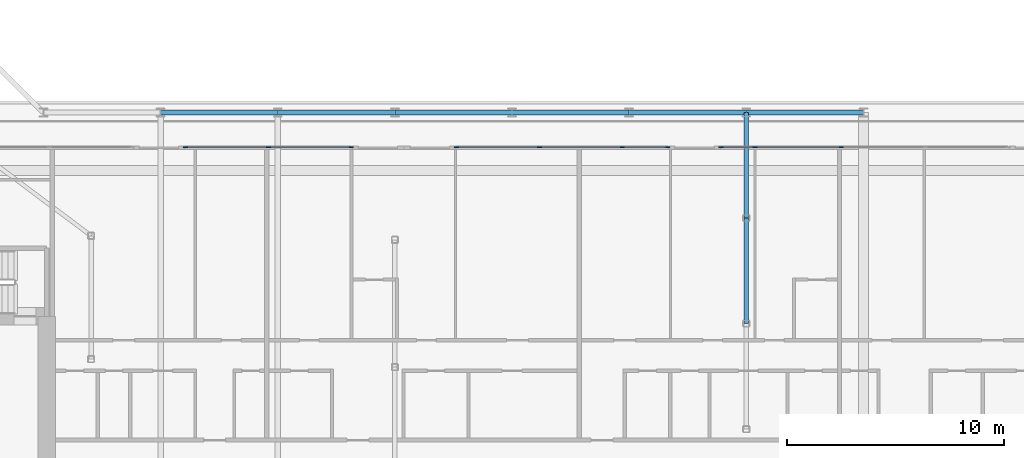
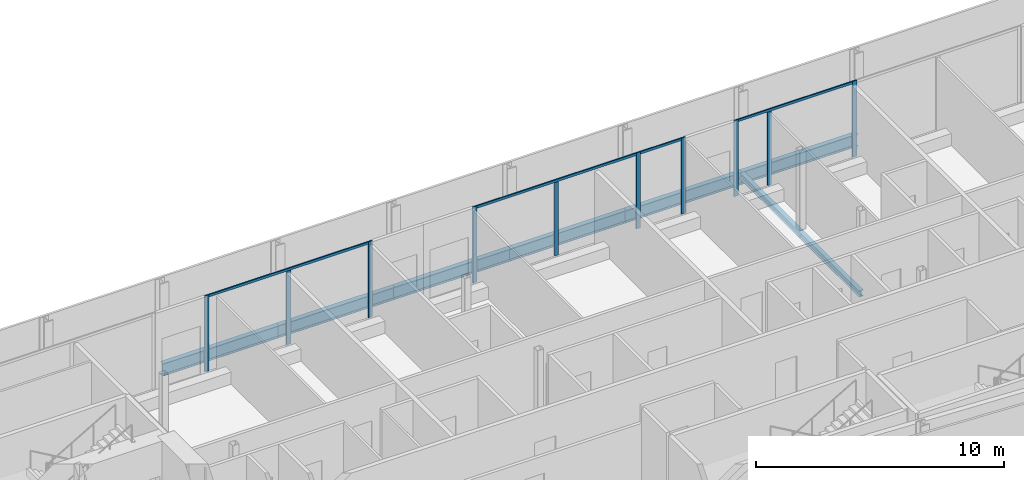
# One storey, part 8 of 29: 14 members, 8 beams, 4 elements without a shape of their own.
"""IFC4 building model written with IfcOpenShell, lengths in metres."""

from ifc_helpers import new_model, si_unit, direction, frame, origin, origin_2d, place, context, subcontext, project, spatial, rectangle, i_section, extrude, material, layer, layer_set, material_profile, profile_set, type_object, element, aggregate, save


model = new_model("IFC4")

# Units and contexts
model_context = context("Model", 3, precision=1e-05, world=origin(), true_north=direction((0.0, 1.0)))
body_context = subcontext(model_context, "Body", "Model", "MODEL_VIEW")
ifc_project = project(units=[si_unit("LENGTHUNIT", "METRE"), si_unit("AREAUNIT", "SQUARE_METRE"), si_unit("VOLUMEUNIT", "CUBIC_METRE"), si_unit("PLANEANGLEUNIT", "RADIAN"), si_unit("MASSUNIT", "GRAM", prefix="KILO")], contexts=[model_context])

# Site, building, storey
site_placement = place(None, origin())
site = spatial("IfcSite", under=ifc_project, at=site_placement, CompositionType="ELEMENT")
building_placement = place(site_placement, origin())
building = spatial("IfcBuilding", under=site, at=building_placement, Name="Kheshtan School and Residences Tower", CompositionType="ELEMENT")
storey_placement = place(building_placement, frame((0.0, 0.0, 176.0)))
storey = spatial("IfcBuildingStorey", under=building, at=storey_placement, Name="L41", CompositionType="ELEMENT", Elevation=176.0)

# Beams
ifc_material_1 = material(Name="Steel ASTM A992 Grade 50", Category="steel")
ifc_material_profile_1 = material_profile(ifc_material_1, i_section(OverallWidth=0.202880859375, OverallDepth=0.302978515625, WebThickness=0.007568359375, FlangeThickness=0.01318359375, FilletRadius=0.009033203125, at=origin_2d()), Name="W310x60")
ifc_profile_set_1 = profile_set([ifc_material_profile_1], Name="Steel ASTM A992 Grade 50")
beam_type_1 = type_object("IfcBeamType", Name="Beam FB1 W310x60 ASTM A992 Grade 50", PredefinedType="BEAM", material=ifc_profile_set_1)
for number, where, z_axis, x_axis, name in (
    (1, (85.39990234375, 45.60009765625, -0.301513671875), (0.0, -1.0, 0.0), (1.0, 0.0, 0.0), "Floor beam C067"),
    (2, (85.39990234375, 40.735107421875, -0.301513671875), (0.0, -1.0, 0.0), (1.0, 0.0, 0.0), "Floor beam IC"),
):
    element("IfcBeam", number, at=place(storey_placement, frame(where, z_axis=z_axis, x_axis=x_axis)), inside=storey, type_object=beam_type_1, Name=name, PredefinedType="BEAM", context=body_context, shape_type="SweptSolid", body=[
        extrude(i_section(OverallWidth=0.202880859375, OverallDepth=0.302978515625, WebThickness=0.007568359375, FlangeThickness=0.01318359375, FilletRadius=0.009033203125, at=origin_2d()), origin(), (0.0, 0.0, 1.0), 4.864990234375),
    ])
ifc_material_profile_2 = material_profile(ifc_material_1, i_section(OverallWidth=0.22802734375, OverallDepth=0.60302734375, WebThickness=0.010498046875, FlangeThickness=0.014892578125, FilletRadius=0.013427734375, at=origin_2d()), Name="W610x101")
ifc_profile_set_2 = profile_set([ifc_material_profile_2], Name="Steel ASTM A992 Grade 50")
beam_type_2 = type_object("IfcBeamType", Name="Beam SP2 W610x101 ASTM A992 Grade 50", PredefinedType="BEAM", material=ifc_profile_set_2)
beam_1_placement = place(storey_placement, frame((58.39990234375, 45.60009765625, -0.451416015625), z_axis=(1.0, 0.0, 0.0), x_axis=(0.0, 1.0, 0.0)))
element("IfcBeam", 3, at=beam_1_placement, inside=storey, type_object=beam_type_2, Name="Spandrel beam C062-C063", PredefinedType="BEAM", context=body_context, shape_type="SweptSolid", body=[
    extrude(i_section(OverallWidth=0.22802734375, OverallDepth=0.60302734375, WebThickness=0.010498046875, FlangeThickness=0.014892578125, FilletRadius=0.013427734375, at=origin_2d()), origin(), (0.0, 0.0, 1.0), 5.400146484375),
])
beam_2_placement = place(storey_placement, frame((63.800048828125, 45.60009765625, -0.451416015625), z_axis=(1.0, 0.0, 0.0), x_axis=(0.0, 1.0, 0.0)))
element("IfcBeam", 4, at=beam_2_placement, inside=storey, type_object=beam_type_2, Name="Spandrel beam C063-C064", PredefinedType="BEAM", context=body_context, shape_type="SweptSolid", body=[
    extrude(i_section(OverallWidth=0.22802734375, OverallDepth=0.60302734375, WebThickness=0.010498046875, FlangeThickness=0.014892578125, FilletRadius=0.013427734375, at=origin_2d()), origin(), (0.0, 0.0, 1.0), 5.39990234375),
])
beam_3_placement = place(storey_placement, frame((69.199951171875, 45.60009765625, -0.451416015625), z_axis=(1.0, 0.0, 0.0), x_axis=(0.0, 1.0, 0.0)))
element("IfcBeam", 5, at=beam_3_placement, inside=storey, type_object=beam_type_2, Name="Spandrel beam C064-C065", PredefinedType="BEAM", context=body_context, shape_type="SweptSolid", body=[
    extrude(i_section(OverallWidth=0.22802734375, OverallDepth=0.60302734375, WebThickness=0.010498046875, FlangeThickness=0.014892578125, FilletRadius=0.013427734375, at=origin_2d()), origin(), (0.0, 0.0, 1.0), 5.400146484375),
])
for number, where, z_axis, x_axis, name in (
    (6, (74.60009765625, 45.60009765625, -0.451416015625), (1.0, 0.0, 0.0), (0.0, 1.0, 0.0), "Spandrel beam C065-C066"),
    (7, (80.0, 45.60009765625, -0.451416015625), (1.0, 0.0, 0.0), (0.0, 1.0, 0.0), "Spandrel beam C066-C067"),
):
    element("IfcBeam", number, at=place(storey_placement, frame(where, z_axis=z_axis, x_axis=x_axis)), inside=storey, type_object=beam_type_2, Name=name, PredefinedType="BEAM", context=body_context, shape_type="SweptSolid", body=[
        extrude(i_section(OverallWidth=0.22802734375, OverallDepth=0.60302734375, WebThickness=0.010498046875, FlangeThickness=0.014892578125, FilletRadius=0.013427734375, at=origin_2d()), origin(), (0.0, 0.0, 1.0), 5.39990234375),
    ])
beam_4_placement = place(storey_placement, frame((85.39990234375, 45.60009765625, -0.451416015625), z_axis=(1.0, 0.0, 0.0), x_axis=(0.0, 1.0, 0.0)))
element("IfcBeam", 8, at=beam_4_placement, inside=storey, type_object=beam_type_2, Name="Spandrel beam C067-C068", PredefinedType="BEAM", context=body_context, shape_type="SweptSolid", body=[
    extrude(i_section(OverallWidth=0.22802734375, OverallDepth=0.60302734375, WebThickness=0.010498046875, FlangeThickness=0.014892578125, FilletRadius=0.013427734375, at=origin_2d()), origin(), (0.0, 0.0, 1.0), 5.400146484375),
])

# Curtain wall, members
ifc_material_2 = material(Name="Clear low-e glass in thermally broken aluminium frame", Category="aluminium")
ifc_layer = layer(ifc_material_2, 0.199951171875)
ifc_layer_set = layer_set([ifc_layer], Name="Curtain wall CW-L")
curtain_wall_type = type_object("IfcCurtainWallType", Name="Curtain wall CW-L", PredefinedType="NOTDEFINED", material=ifc_layer_set)
curtain_wall_1_placement = place(storey_placement, origin())
curtain_wall_1 = element("IfcCurtainWall", 9, at=curtain_wall_1_placement, inside=storey, type_object=curtain_wall_type, Name="Curtain wall CWL12j", PredefinedType="NOTDEFINED")
ifc_material_3 = material(Name="Thermally broken aluminium, dark bronze anodised", Category="aluminium")
ifc_material_profile_3 = material_profile(ifc_material_3, rectangle(XDim=0.06005859375, YDim=0.199951171875, at=origin_2d()), Name="CW-L mullion 60x200")
ifc_profile_set_3 = profile_set([ifc_material_profile_3], Name="Thermally broken aluminium, dark bronze anodised")
member_type_1 = type_object("IfcMemberType", Name="CW-L mullion 60x200", PredefinedType="MULLION", material=ifc_profile_set_3)
member_1_placement = place(storey_placement, frame((59.553955078125, 44.0, 0.0), z_axis=(0.0, 0.0, 1.0), x_axis=(0.0, 1.0, 0.0)))
member_1 = element("IfcMember", 10, at=member_1_placement, type_object=member_type_1, Name="CWL12j mullion 1", PredefinedType="MULLION", context=body_context, shape_type="SweptSolid", body=[
    extrude(rectangle(XDim=0.06005859375, YDim=0.199951171875, at=origin_2d()), origin(), (0.0, 0.0, 1.0), 3.75),
])
member_2_placement = place(storey_placement, frame((63.37109375, 44.0, 0.0), z_axis=(0.0, 0.0, 1.0), x_axis=(0.0, 1.0, 0.0)))
member_2 = element("IfcMember", 11, at=member_2_placement, type_object=member_type_1, Name="CWL12j mullion 2", PredefinedType="MULLION", context=body_context, shape_type="SweptSolid", body=[
    extrude(rectangle(XDim=0.06005859375, YDim=0.199951171875, at=origin_2d()), origin(), (0.0, 0.0, 1.0), 3.6298828125),
])
member_3_placement = place(storey_placement, frame((67.18798828125, 44.0, 0.0), z_axis=(0.0, 0.0, 1.0), x_axis=(0.0, 1.0, 0.0)))
member_3 = element("IfcMember", 12, at=member_3_placement, type_object=member_type_1, Name="CWL12j mullion 3", PredefinedType="MULLION", context=body_context, shape_type="SweptSolid", body=[
    extrude(rectangle(XDim=0.06005859375, YDim=0.199951171875, at=origin_2d()), origin(), (0.0, 0.0, 1.0), 3.75),
])

curtain_wall_2_placement = place(storey_placement, origin())
curtain_wall_2 = element("IfcCurtainWall", 13, at=curtain_wall_2_placement, inside=storey, type_object=curtain_wall_type, Name="Curtain wall CWL12j", PredefinedType="NOTDEFINED")
member_4_placement = place(storey_placement, frame((72.048095703125, 44.0, 0.0), z_axis=(0.0, 0.0, 1.0), x_axis=(0.0, 1.0, 0.0)))
member_4 = element("IfcMember", 14, at=member_4_placement, type_object=member_type_1, Name="CWL12j mullion 1", PredefinedType="MULLION", context=body_context, shape_type="SweptSolid", body=[
    extrude(rectangle(XDim=0.06005859375, YDim=0.199951171875, at=origin_2d()), origin(), (0.0, 0.0, 1.0), 3.75),
])
member_5_placement = place(storey_placement, frame((75.864990234375, 44.0, 0.0), z_axis=(0.0, 0.0, 1.0), x_axis=(0.0, 1.0, 0.0)))
member_5 = element("IfcMember", 15, at=member_5_placement, type_object=member_type_1, Name="CWL12j mullion 2", PredefinedType="MULLION", context=body_context, shape_type="SweptSolid", body=[
    extrude(rectangle(XDim=0.06005859375, YDim=0.199951171875, at=origin_2d()), origin(), (0.0, 0.0, 1.0), 3.6298828125),
])
member_6_placement = place(storey_placement, frame((79.681884765625, 44.0, 0.0), z_axis=(0.0, 0.0, 1.0), x_axis=(0.0, 1.0, 0.0)))
member_6 = element("IfcMember", 16, at=member_6_placement, type_object=member_type_1, Name="CWL12j mullion 3", PredefinedType="MULLION", context=body_context, shape_type="SweptSolid", body=[
    extrude(rectangle(XDim=0.06005859375, YDim=0.199951171875, at=origin_2d()), origin(), (0.0, 0.0, 1.0), 3.75),
])

# Curtain wall, member
curtain_wall_3_placement = place(storey_placement, origin())
curtain_wall_3 = element("IfcCurtainWall", 17, at=curtain_wall_3_placement, inside=storey, type_object=curtain_wall_type, Name="Curtain wall CWL12d", PredefinedType="NOTDEFINED")
member_7_placement = place(storey_placement, frame((81.781982421875, 44.0, 0.0), z_axis=(0.0, 0.0, 1.0), x_axis=(0.0, 1.0, 0.0)))
member_7 = element("IfcMember", 18, at=member_7_placement, type_object=member_type_1, Name="CWL12d mullion 2", PredefinedType="MULLION", context=body_context, shape_type="SweptSolid", body=[
    extrude(rectangle(XDim=0.06005859375, YDim=0.199951171875, at=origin_2d()), origin(), (0.0, 0.0, 1.0), 3.75),
])

# Curtain wall, members
curtain_wall_4_placement = place(storey_placement, origin())
curtain_wall_4 = element("IfcCurtainWall", 19, at=curtain_wall_4_placement, inside=storey, type_object=curtain_wall_type, Name="Curtain wall CWL12z", PredefinedType="NOTDEFINED")
member_8_placement = place(storey_placement, frame((84.241943359375, 44.0, 0.0), z_axis=(0.0, 0.0, 1.0), x_axis=(0.0, 1.0, 0.0)))
member_8 = element("IfcMember", 20, at=member_8_placement, type_object=member_type_1, Name="CWL12z mullion 1", PredefinedType="MULLION", context=body_context, shape_type="SweptSolid", body=[
    extrude(rectangle(XDim=0.06005859375, YDim=0.199951171875, at=origin_2d()), origin(), (0.0, 0.0, 1.0), 3.75),
])
member_9_placement = place(storey_placement, frame((85.800048828125, 44.0, 0.0), z_axis=(0.0, 0.0, 1.0), x_axis=(0.0, 1.0, 0.0)))
member_9 = element("IfcMember", 21, at=member_9_placement, type_object=member_type_1, Name="CWL12z mullion 2", PredefinedType="MULLION", context=body_context, shape_type="SweptSolid", body=[
    extrude(rectangle(XDim=0.06005859375, YDim=0.199951171875, at=origin_2d()), origin(), (0.0, 0.0, 1.0), 3.6298828125),
])
member_10_placement = place(storey_placement, frame((89.77587890625, 44.0, 0.0), z_axis=(0.0, 0.0, 1.0), x_axis=(0.0, 1.0, 0.0)))
member_10 = element("IfcMember", 22, at=member_10_placement, type_object=member_type_1, Name="CWL12z mullion 3", PredefinedType="MULLION", context=body_context, shape_type="SweptSolid", body=[
    extrude(rectangle(XDim=0.06005859375, YDim=0.199951171875, at=origin_2d()), origin(), (0.0, 0.0, 1.0), 3.75),
])

# Member
ifc_material_profile_4 = material_profile(ifc_material_3, rectangle(XDim=0.06005859375, YDim=0.1201171875, at=origin_2d()), Name="CW-L transom 60x120")
ifc_profile_set_4 = profile_set([ifc_material_profile_4], Name="Thermally broken aluminium, dark bronze anodised")
member_type_2 = type_object("IfcMemberType", Name="CW-L transom 60x120", PredefinedType="USERDEFINED", material=ifc_profile_set_4)
member_11_placement = place(storey_placement, frame((59.583984375, 44.0, 3.68994140625), z_axis=(1.0, 0.0, 0.0), x_axis=(0.0, 1.0, 0.0)))
member_11 = element("IfcMember", 23, at=member_11_placement, type_object=member_type_2, Name="CWL12j transom 1", ObjectType="TRANSOM", PredefinedType="USERDEFINED", context=body_context, shape_type="SweptSolid", body=[
    extrude(rectangle(XDim=0.06005859375, YDim=0.1201171875, at=origin_2d()), origin(), (0.0, 0.0, 1.0), 7.573974609375),
])

aggregate(curtain_wall_1, [member_1, member_2, member_3, member_11])

member_12_placement = place(storey_placement, frame((72.077880859375, 44.0, 3.68994140625), z_axis=(1.0, 0.0, 0.0), x_axis=(0.0, 1.0, 0.0)))
member_12 = element("IfcMember", 24, at=member_12_placement, type_object=member_type_2, Name="CWL12j transom 1", ObjectType="TRANSOM", PredefinedType="USERDEFINED", context=body_context, shape_type="SweptSolid", body=[
    extrude(rectangle(XDim=0.06005859375, YDim=0.1201171875, at=origin_2d()), origin(), (0.0, 0.0, 1.0), 7.57421875),
])

aggregate(curtain_wall_2, [member_4, member_5, member_6, member_12])

member_13_placement = place(storey_placement, frame((79.7119140625, 44.0, 3.68994140625), z_axis=(1.0, 0.0, 0.0), x_axis=(0.0, 1.0, 0.0)))
member_13 = element("IfcMember", 25, at=member_13_placement, type_object=member_type_2, Name="CWL12d transom 1", ObjectType="TRANSOM", PredefinedType="USERDEFINED", context=body_context, shape_type="SweptSolid", body=[
    extrude(rectangle(XDim=0.06005859375, YDim=0.1201171875, at=origin_2d()), origin(), (0.0, 0.0, 1.0), 2.0400390625),
])

aggregate(curtain_wall_3, [member_7, member_13])

member_14_placement = place(storey_placement, frame((84.27197265625, 44.0, 3.68994140625), z_axis=(1.0, 0.0, 0.0), x_axis=(0.0, 1.0, 0.0)))
member_14 = element("IfcMember", 26, at=member_14_placement, type_object=member_type_2, Name="CWL12z transom 1", ObjectType="TRANSOM", PredefinedType="USERDEFINED", context=body_context, shape_type="SweptSolid", body=[
    extrude(rectangle(XDim=0.06005859375, YDim=0.1201171875, at=origin_2d()), origin(), (0.0, 0.0, 1.0), 5.47412109375),
])

aggregate(curtain_wall_4, [member_8, member_9, member_10, member_14])

save(model, "model.ifc")
